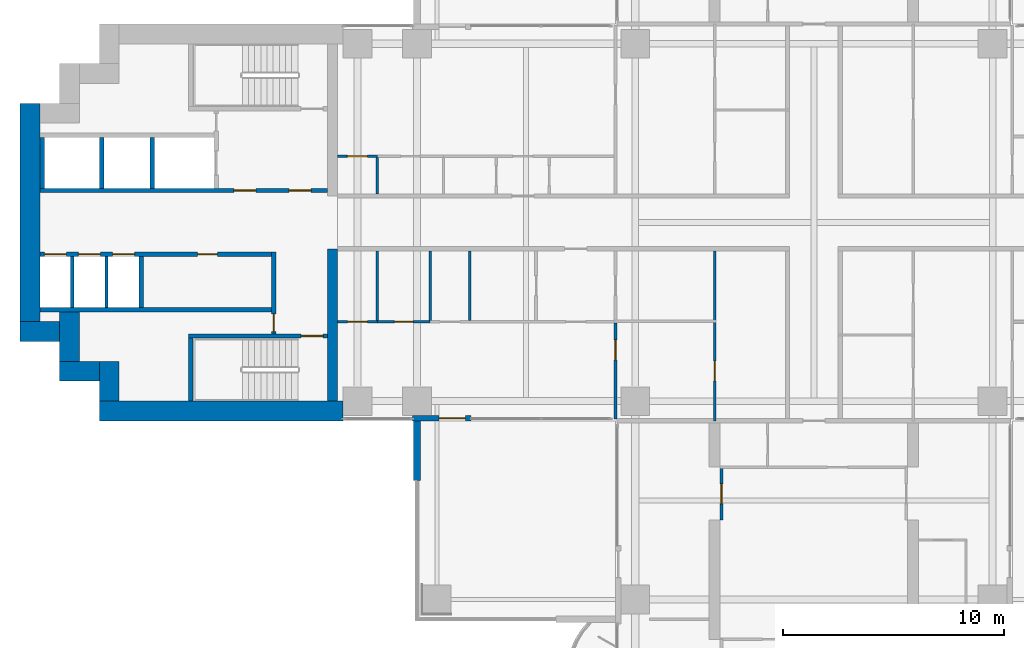
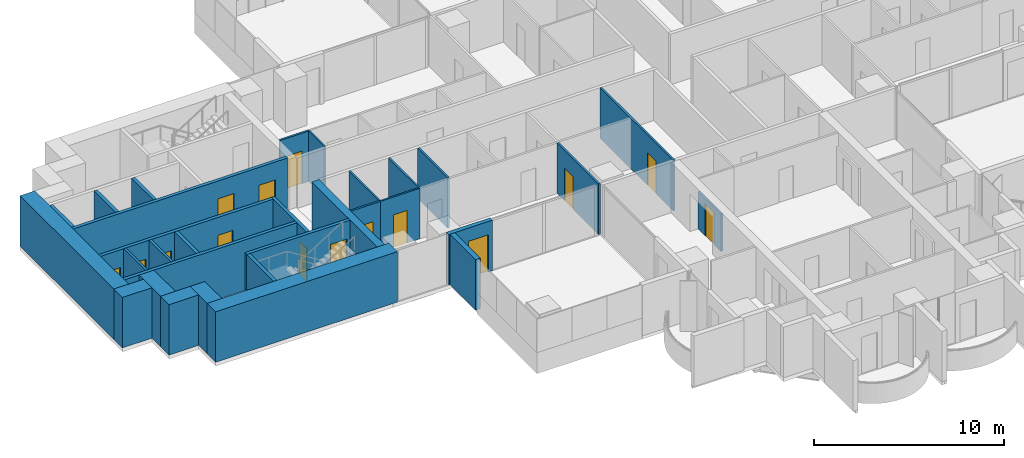
# One storey, part 10 of 21: 31 walls, 15 doors, 15 openings.
"""IFC4 building model written with IfcOpenShell, lengths in metres."""

from ifc_helpers import new_model, si_unit, direction, frame, frame_2d, origin, place, context, subcontext, project, spatial, rectangle, extrude, material, layer, layer_set, type_object, element, fill, save


model = new_model("IFC4")

# Units and contexts
model_context = context("Model", 3, precision=1e-05, world=origin(), true_north=direction((0.0, 1.0)))
body_context = subcontext(model_context, "Body", "Model", "MODEL_VIEW")
ifc_project = project(units=[si_unit("LENGTHUNIT", "METRE"), si_unit("AREAUNIT", "SQUARE_METRE"), si_unit("VOLUMEUNIT", "CUBIC_METRE"), si_unit("PLANEANGLEUNIT", "RADIAN"), si_unit("MASSUNIT", "GRAM", prefix="KILO")], contexts=[model_context])

# Site, building, storey
site_placement = place(None, origin())
site = spatial("IfcSite", under=ifc_project, at=site_placement, CompositionType="ELEMENT")
building_placement = place(site_placement, origin())
building = spatial("IfcBuilding", under=site, at=building_placement, Name="Perihelion Cross Residences", CompositionType="ELEMENT")
storey_placement = place(building_placement, frame((0.0, 0.0, 54.0)))
storey = spatial("IfcBuildingStorey", under=building, at=storey_placement, Name="L10", CompositionType="ELEMENT", Elevation=54.0)

# Wall, opening, door
ifc_material_1 = material(Name="Concrete C30/37, bronze-clad", Category="concrete")
ifc_layer_1 = layer(ifc_material_1, 0.25)
ifc_layer_set_1 = layer_set([ifc_layer_1], Name="Bronze-clad pier wall 250")
wall_type_1 = type_object("IfcWallType", Name="Bronze-clad pier wall 250", PredefinedType="SOLIDWALL", material=ifc_layer_set_1)
wall_1_placement = place(storey_placement, frame((-18.199951171875, -8.875, 0.0), z_axis=(0.0, 0.0, 1.0), x_axis=(1.0, 0.0, 0.0)))
wall_1 = element("IfcWall", 1, at=wall_1_placement, inside=storey, type_object=wall_type_1, Name="Wall FW1 L10 west side south bay 2 pier", PredefinedType="SOLIDWALL", context=body_context, shape_type="SweptSolid", body=[
    extrude(rectangle(XDim=2.64990234375, YDim=0.25, at=frame_2d((1.324951171875, 0.0))), origin(), (0.0, 0.0, 1.0), 3.25),
])
opening_1_placement = place(wall_1_placement, frame((1.199951171875, 0.0, 0.0)))
opening_1 = element("IfcOpeningElement", 2, at=opening_1_placement, cuts=wall_1, Name="Opening L10.E09", PredefinedType="OPENING", context=body_context, shape_type="SweptSolid", body=[
    extrude(rectangle(XDim=1.199951171875, YDim=2.39990234375, at=frame_2d((0.60009765625, 1.199951171875))), frame((0.0, 0.135009765625, 0.0), z_axis=(0.0, -1.0, 0.0), x_axis=(1.0, 0.0, 0.0)), (0.0, 0.0, 1.0), 0.27001953125),
])
ifc_material_2 = material(Name="Bronze anodised aluminium, glazed", Category="aluminium")
door_type_1 = type_object("IfcDoorType", Name="Balcony door 1200 x 2400", OperationType="NOTDEFINED", PredefinedType="DOOR", material=ifc_material_2)
door_1_placement = place(opening_1_placement, origin())
door_1 = element("IfcDoor", 3, at=door_1_placement, inside=storey, type_object=door_type_1, Name="Door L10.E09 west side south bay 2", OperationType="SINGLE_SWING_RIGHT", OverallHeight=2.39990234375, OverallWidth=1.199951171875, PredefinedType="DOOR", context=body_context, shape_type="SweptSolid", body=[
    extrude(rectangle(XDim=1.199951171875, YDim=2.39990234375, at=frame_2d((0.60009765625, 1.199951171875))), frame((0.0, 0.02490234375, 0.0), z_axis=(0.0, -1.0, 0.0), x_axis=(1.0, 0.0, 0.0)), (0.0, 0.0, 1.0), 0.050048828125),
])
fill(opening_1, door_1)

# Walls
ifc_material_3 = material(Name="Concrete C60/75", Category="concrete")
ifc_layer_2 = layer(ifc_material_3, 0.449951171875)
ifc_layer_set_2 = layer_set([ifc_layer_2], Name="Core wall, inner 450")
wall_type_2 = type_object("IfcWallType", Name="Core wall, inner 450", PredefinedType="SHEAR", material=ifc_layer_set_2)
wall_2_placement = place(storey_placement, frame((-21.824951171875, -8.10009765625, 0.0), z_axis=(0.0, 0.0, 1.0), x_axis=(0.0, 1.0, 0.0)))
element("IfcWall", 4, at=wall_2_placement, inside=storey, type_object=wall_type_2, Name="West core core wall, inner", PredefinedType="SHEAR", context=body_context, shape_type="SweptSolid", body=[
    extrude(rectangle(XDim=6.900146484375, YDim=0.449951171875, at=frame_2d((3.4501953125, 0.0))), origin(), (0.0, 0.0, 1.0), 3.25),
])
ifc_material_4 = material(Name="Concrete C60/75", Category="concrete")
ifc_layer_3 = layer(ifc_material_4, 0.89990234375)
ifc_layer_set_3 = layer_set([ifc_layer_3], Name="Core wall, outer 900")
wall_type_3 = type_object("IfcWallType", Name="Core wall, outer 900", PredefinedType="SHEAR", material=ifc_layer_set_3)
wall_3_placement = place(storey_placement, frame((-32.39990234375, -8.550048828125, 0.0), z_axis=(0.0, 0.0, 1.0), x_axis=(1.0, 0.0, 0.0)))
element("IfcWall", 5, at=wall_3_placement, inside=storey, type_object=wall_type_3, Name="West core core wall, outer", PredefinedType="SHEAR", context=body_context, shape_type="SweptSolid", body=[
    extrude(rectangle(XDim=11.0498046875, YDim=0.89990234375, at=frame_2d((5.52490234375, 0.0))), origin(), (0.0, 0.0, 1.0), 3.25),
])
for number, where, z_axis, x_axis, name in (
    (6, (-31.949951171875, -8.10009765625, 0.0), (0.0, 0.0, 1.0), (0.0, 1.0, 0.0), "West core core wall, outer"),
    (7, (-34.199951171875, -6.75, 0.0), (0.0, 0.0, 1.0), (1.0, 0.0, 0.0), "West core core wall, outer"),
):
    element("IfcWall", number, at=place(storey_placement, frame(where, z_axis=z_axis, x_axis=x_axis)), inside=storey, type_object=wall_type_3, Name=name, PredefinedType="SHEAR", context=body_context, shape_type="SweptSolid", body=[
        extrude(rectangle(XDim=1.800048828125, YDim=0.89990234375, at=frame_2d((0.89990234375, 0.0))), origin(), (0.0, 0.0, 1.0), 3.25),
    ])
wall_4_placement = place(storey_placement, frame((-33.75, -6.300048828125, 0.0), z_axis=(0.0, 0.0, 1.0), x_axis=(0.0, 1.0, 0.0)))
element("IfcWall", 8, at=wall_4_placement, inside=storey, type_object=wall_type_3, Name="West core core wall, outer", PredefinedType="SHEAR", context=body_context, shape_type="SweptSolid", body=[
    extrude(rectangle(XDim=2.25, YDim=0.89990234375, at=frame_2d((1.125, 0.0))), origin(), (0.0, 0.0, 1.0), 3.25),
])
wall_5_placement = place(storey_placement, frame((-36.0, -4.949951171875, 0.0), z_axis=(0.0, 0.0, 1.0), x_axis=(1.0, 0.0, 0.0)))
element("IfcWall", 9, at=wall_5_placement, inside=storey, type_object=wall_type_3, Name="West core core wall, outer", PredefinedType="SHEAR", context=body_context, shape_type="SweptSolid", body=[
    extrude(rectangle(XDim=1.800048828125, YDim=0.89990234375, at=frame_2d((0.89990234375, 0.0))), origin(), (0.0, 0.0, 1.0), 3.25),
])
wall_6_placement = place(storey_placement, frame((-35.550048828125, -4.5, 0.0), z_axis=(0.0, 0.0, 1.0), x_axis=(0.0, 1.0, 0.0)))
element("IfcWall", 10, at=wall_6_placement, inside=storey, type_object=wall_type_3, Name="West core core wall, outer", PredefinedType="SHEAR", context=body_context, shape_type="SweptSolid", body=[
    extrude(rectangle(XDim=9.89990234375, YDim=0.89990234375, at=frame_2d((4.949951171875, 0.0))), origin(), (0.0, 0.0, 1.0), 3.25),
])

# Wall, opening, door
ifc_material_5 = material(Name="Plasterboard partition")
ifc_layer_4 = layer(ifc_material_5, 0.1201171875)
ifc_layer_set_4 = layer_set([ifc_layer_4], Name="Infill panel 120")
wall_type_4 = type_object("IfcWallType", Name="Infill panel 120", PredefinedType="PARTITIONING", material=ifc_layer_set_4)
wall_7_placement = place(storey_placement, frame((-4.18994140625, -11.10009765625, 0.0), z_axis=(0.0, 0.0, 1.0), x_axis=(0.0, -1.0, 0.0)))
wall_7 = element("IfcWall", 11, at=wall_7_placement, inside=storey, type_object=wall_type_4, Name="Partition L10 WI07", PredefinedType="PARTITIONING", context=body_context, shape_type="SweptSolid", body=[
    extrude(rectangle(XDim=2.39990234375, YDim=0.1201171875, at=frame_2d((1.199951171875, 0.0))), origin(), (0.0, 0.0, 1.0), 2.39990234375),
])
opening_2_placement = place(wall_7_placement, frame((0.75, 0.0, 0.0)))
opening_2 = element("IfcOpeningElement", 12, at=opening_2_placement, cuts=wall_7, Name="Opening L10.A57", PredefinedType="OPENING", context=body_context, shape_type="SweptSolid", body=[
    extrude(rectangle(XDim=0.89990234375, YDim=2.10009765625, at=frame_2d((0.449951171875, 1.050048828125))), frame((0.0, 0.070068359375, 0.0), z_axis=(0.0, -1.0, 0.0), x_axis=(1.0, 0.0, 0.0)), (0.0, 0.0, 1.0), 0.14013671875),
])
ifc_material_6 = material(Name="Timber door leaf", Category="wood")
door_type_2 = type_object("IfcDoorType", Name="Interior room door 900 x 2100", OperationType="SINGLE_SWING_LEFT", PredefinedType="DOOR", material=ifc_material_6)
door_2_placement = place(opening_2_placement, origin())
door_2 = element("IfcDoor", 13, at=door_2_placement, inside=storey, type_object=door_type_2, Name="Door L10.A57", OperationType="SINGLE_SWING_LEFT", OverallHeight=2.10009765625, OverallWidth=0.89990234375, PredefinedType="DOOR", context=body_context, shape_type="SweptSolid", body=[
    extrude(rectangle(XDim=0.89990234375, YDim=2.10009765625, at=frame_2d((0.449951171875, 1.050048828125))), frame((0.0, 0.02490234375, 0.0), z_axis=(0.0, -1.0, 0.0), x_axis=(1.0, 0.0, 0.0)), (0.0, 0.0, 1.0), 0.050048828125),
])
fill(opening_2, door_2)

ifc_material_7 = material(Name="Concrete C50/60", Category="concrete")
ifc_layer_5 = layer(ifc_material_7, 0.199951171875)
ifc_layer_set_5 = layer_set([ifc_layer_5], Name="Lobby wall 200")
wall_type_5 = type_object("IfcWallType", Name="Lobby wall 200", PredefinedType="SOLIDWALL", material=ifc_layer_set_5)
wall_8_placement = place(storey_placement, frame((-24.5, -5.050048828125, 0.0), z_axis=(0.0, 0.0, 1.0), x_axis=(0.0, 1.0, 0.0)))
wall_8 = element("IfcWall", 14, at=wall_8_placement, inside=storey, type_object=wall_type_5, Name="West core lobby wall", PredefinedType="SOLIDWALL", context=body_context, shape_type="SweptSolid", body=[
    extrude(rectangle(XDim=3.699951171875, YDim=0.199951171875, at=frame_2d((1.85009765625, 0.0))), origin(), (0.0, 0.0, 1.0), 3.25),
])
opening_3_placement = place(wall_8_placement, frame((0.10009765625, 0.0, 0.0)))
opening_3 = element("IfcOpeningElement", 15, at=opening_3_placement, cuts=wall_8, Name="Opening L10.C19", PredefinedType="OPENING", context=body_context, shape_type="SweptSolid", body=[
    extrude(rectangle(XDim=0.800048828125, YDim=2.10009765625, at=frame_2d((0.39990234375, 1.050048828125))), frame((0.0, 0.10986328125, 0.0), z_axis=(0.0, -1.0, 0.0), x_axis=(1.0, 0.0, 0.0)), (0.0, 0.0, 1.0), 0.219970703125),
])
ifc_material_8 = material(Name="Steel, powder coated", Category="steel")
door_type_3 = type_object("IfcDoorType", Name="Riser door 800", OperationType="SINGLE_SWING_LEFT", PredefinedType="DOOR", material=ifc_material_8)
door_3_placement = place(opening_3_placement, origin())
door_3 = element("IfcDoor", 16, at=door_3_placement, inside=storey, type_object=door_type_3, Name="West core riser door", OperationType="SINGLE_SWING_LEFT", OverallHeight=2.10009765625, OverallWidth=0.800048828125, PredefinedType="DOOR", context=body_context, shape_type="SweptSolid", body=[
    extrude(rectangle(XDim=0.800048828125, YDim=2.10009765625, at=frame_2d((0.39990234375, 1.050048828125))), frame((0.0, 0.02490234375, 0.0), z_axis=(0.0, -1.0, 0.0), x_axis=(1.0, 0.0, 0.0)), (0.0, 0.0, 1.0), 0.050048828125),
])
fill(opening_3, door_3)

ifc_material_9 = material(Name="Plasterboard partition")
ifc_layer_6 = layer(ifc_material_9, 0.1201171875)
ifc_layer_set_6 = layer_set([ifc_layer_6], Name="Partition wall 120")
wall_type_6 = type_object("IfcWallType", Name="Partition wall 120", PredefinedType="PARTITIONING", material=ifc_layer_set_6)
wall_9_placement = place(storey_placement, frame((-21.60009765625, 3.0, 0.0), z_axis=(0.0, 0.0, 1.0), x_axis=(1.0, 0.0, 0.0)))
wall_9 = element("IfcWall", 17, at=wall_9_placement, inside=storey, type_object=wall_type_6, Name="Partition L10 W038", PredefinedType="PARTITIONING", context=body_context, shape_type="SweptSolid", body=[
    extrude(rectangle(XDim=1.800048828125, YDim=0.1201171875, at=frame_2d((0.89990234375, 0.0))), origin(), (0.0, 0.0, 1.0), 3.25),
])
opening_4_placement = place(wall_9_placement, frame((0.449951171875, 0.0, 0.0)))
opening_4 = element("IfcOpeningElement", 18, at=opening_4_placement, cuts=wall_9, Name="Opening L10.A19", PredefinedType="OPENING", context=body_context, shape_type="SweptSolid", body=[
    extrude(rectangle(XDim=0.89990234375, YDim=2.10009765625, at=frame_2d((0.449951171875, 1.050048828125))), frame((0.0, 0.070068359375, 0.0), z_axis=(0.0, -1.0, 0.0), x_axis=(1.0, 0.0, 0.0)), (0.0, 0.0, 1.0), 0.14013671875),
])
door_4_placement = place(opening_4_placement, origin())
door_4 = element("IfcDoor", 19, at=door_4_placement, inside=storey, type_object=door_type_2, Name="Door L10.A19", OperationType="SINGLE_SWING_RIGHT", OverallHeight=2.10009765625, OverallWidth=0.89990234375, PredefinedType="DOOR", context=body_context, shape_type="SweptSolid", body=[
    extrude(rectangle(XDim=0.89990234375, YDim=2.10009765625, at=frame_2d((0.449951171875, 1.050048828125))), frame((0.0, 0.02490234375, 0.0), z_axis=(0.0, -1.0, 0.0), x_axis=(1.0, 0.0, 0.0)), (0.0, 0.0, 1.0), 0.050048828125),
])
fill(opening_4, door_4)

# Wall
wall_10_placement = place(storey_placement, frame((-15.60009765625, -4.43994140625, 0.0), z_axis=(0.0, 0.0, 1.0), x_axis=(0.0, 1.0, 0.0)))
element("IfcWall", 20, at=wall_10_placement, inside=storey, type_object=wall_type_6, Name="Partition L10 W045", PredefinedType="PARTITIONING", context=body_context, shape_type="SweptSolid", body=[
    extrude(rectangle(XDim=3.139892578125, YDim=0.1201171875, at=frame_2d((1.56982421875, 0.0))), origin(), (0.0, 0.0, 1.0), 3.25),
])

# Wall, opening, door
wall_11_placement = place(storey_placement, frame((-19.800048828125, -4.5, 0.0), z_axis=(0.0, 0.0, 1.0), x_axis=(-1.0, 0.0, 0.0)))
wall_11 = element("IfcWall", 21, at=wall_11_placement, inside=storey, type_object=wall_type_6, Name="Partition L10 W049", PredefinedType="PARTITIONING", context=body_context, shape_type="SweptSolid", body=[
    extrude(rectangle(XDim=1.800048828125, YDim=0.1201171875, at=frame_2d((0.89990234375, 0.0))), origin(), (0.0, 0.0, 1.0), 3.25),
])
opening_5_placement = place(wall_11_placement, frame((0.449951171875, 0.0, 0.0)))
opening_5 = element("IfcOpeningElement", 22, at=opening_5_placement, cuts=wall_11, Name="Opening L10.A25", PredefinedType="OPENING", context=body_context, shape_type="SweptSolid", body=[
    extrude(rectangle(XDim=0.89990234375, YDim=2.10009765625, at=frame_2d((0.449951171875, 1.050048828125))), frame((0.0, 0.070068359375, 0.0), z_axis=(0.0, -1.0, 0.0), x_axis=(1.0, 0.0, 0.0)), (0.0, 0.0, 1.0), 0.14013671875),
])
door_5_placement = place(opening_5_placement, origin())
door_5 = element("IfcDoor", 23, at=door_5_placement, inside=storey, type_object=door_type_2, Name="Door L10.A25", OperationType="SINGLE_SWING_LEFT", OverallHeight=2.10009765625, OverallWidth=0.89990234375, PredefinedType="DOOR", context=body_context, shape_type="SweptSolid", body=[
    extrude(rectangle(XDim=0.89990234375, YDim=2.10009765625, at=frame_2d((0.449951171875, 1.050048828125))), frame((0.0, 0.02490234375, 0.0), z_axis=(0.0, -1.0, 0.0), x_axis=(1.0, 0.0, 0.0)), (0.0, 0.0, 1.0), 0.050048828125),
])
fill(opening_5, door_5)

wall_12_placement = place(storey_placement, frame((-9.0, -4.56005859375, 0.0), z_axis=(0.0, 0.0, 1.0), x_axis=(0.0, -1.0, 0.0)))
wall_12 = element("IfcWall", 24, at=wall_12_placement, inside=storey, type_object=wall_type_6, Name="Partition L10 W050", PredefinedType="PARTITIONING", context=body_context, shape_type="SweptSolid", body=[
    extrude(rectangle(XDim=4.35986328125, YDim=0.1201171875, at=frame_2d((2.179931640625, 0.0))), origin(), (0.0, 0.0, 1.0), 3.25),
])
opening_6_placement = place(wall_12_placement, frame((0.77001953125, 0.0, 0.0)))
opening_6 = element("IfcOpeningElement", 25, at=opening_6_placement, cuts=wall_12, Name="Opening L10.A30", PredefinedType="OPENING", context=body_context, shape_type="SweptSolid", body=[
    extrude(rectangle(XDim=0.89990234375, YDim=2.10009765625, at=frame_2d((0.449951171875, 1.050048828125))), frame((0.0, 0.070068359375, 0.0), z_axis=(0.0, -1.0, 0.0), x_axis=(1.0, 0.0, 0.0)), (0.0, 0.0, 1.0), 0.14013671875),
])
door_6_placement = place(opening_6_placement, origin())
door_6 = element("IfcDoor", 26, at=door_6_placement, inside=storey, type_object=door_type_2, Name="Door L10.A30", OperationType="SINGLE_SWING_LEFT", OverallHeight=2.10009765625, OverallWidth=0.89990234375, PredefinedType="DOOR", context=body_context, shape_type="SweptSolid", body=[
    extrude(rectangle(XDim=0.89990234375, YDim=2.10009765625, at=frame_2d((0.449951171875, 1.050048828125))), frame((0.0, 0.02490234375, 0.0), z_axis=(0.0, -1.0, 0.0), x_axis=(1.0, 0.0, 0.0)), (0.0, 0.0, 1.0), 0.050048828125),
])
fill(opening_6, door_6)

wall_13_placement = place(storey_placement, frame((-4.5, -1.300048828125, 0.0), z_axis=(0.0, 0.0, 1.0), x_axis=(0.0, -1.0, 0.0)))
wall_13 = element("IfcWall", 27, at=wall_13_placement, inside=storey, type_object=wall_type_6, Name="Partition L10 W052", PredefinedType="PARTITIONING", context=body_context, shape_type="SweptSolid", body=[
    extrude(rectangle(XDim=7.699951171875, YDim=0.1201171875, at=frame_2d((3.85009765625, 0.0))), origin(), (0.0, 0.0, 1.0), 3.25),
])
opening_7_placement = place(wall_13_placement, frame((4.988037109375, 0.0, 0.0)))
opening_7 = element("IfcOpeningElement", 28, at=opening_7_placement, cuts=wall_13, Name="Opening L10.A29", PredefinedType="OPENING", context=body_context, shape_type="SweptSolid", body=[
    extrude(rectangle(XDim=0.89990234375, YDim=2.10009765625, at=frame_2d((0.449951171875, 1.050048828125))), frame((0.0, 0.070068359375, 0.0), z_axis=(0.0, -1.0, 0.0), x_axis=(1.0, 0.0, 0.0)), (0.0, 0.0, 1.0), 0.14013671875),
])
door_7_placement = place(opening_7_placement, origin())
door_7 = element("IfcDoor", 29, at=door_7_placement, inside=storey, type_object=door_type_2, Name="Door L10.A29", OperationType="SINGLE_SWING_RIGHT", OverallHeight=2.10009765625, OverallWidth=0.89990234375, PredefinedType="DOOR", context=body_context, shape_type="SweptSolid", body=[
    extrude(rectangle(XDim=0.89990234375, YDim=2.10009765625, at=frame_2d((0.449951171875, 1.050048828125))), frame((0.0, 0.02490234375, 0.0), z_axis=(0.0, -1.0, 0.0), x_axis=(1.0, 0.0, 0.0)), (0.0, 0.0, 1.0), 0.050048828125),
])
fill(opening_7, door_7)

# Walls
ifc_material_10 = material(Name="Precast concrete C50/60", Category="concrete")
ifc_layer_7 = layer(ifc_material_10, 0.300048828125)
ifc_layer_set_7 = layer_set([ifc_layer_7], Name="Precast concrete C50/60 blade wall 300")
wall_type_7 = type_object("IfcWallType", Name="Precast concrete C50/60 blade wall 300", PredefinedType="SOLIDWALL", material=ifc_layer_set_7)
wall_14_placement = place(storey_placement, frame((-18.0, -8.75, 0.0), z_axis=(0.0, 0.0, 1.0), x_axis=(0.0, -1.0, 0.0)))
element("IfcWall", 30, at=wall_14_placement, inside=storey, type_object=wall_type_7, Name="Wall BL1 L10 no. 1", PredefinedType="SOLIDWALL", context=body_context, shape_type="SweptSolid", body=[
    extrude(rectangle(XDim=2.949951171875, YDim=0.300048828125, at=frame_2d((1.47509765625, 0.0))), origin(), (0.0, 0.0, 1.0), 3.25),
])
ifc_material_11 = material(Name="Concrete C50/60", Category="concrete")
ifc_layer_8 = layer(ifc_material_11, 0.14990234375)
ifc_layer_set_8 = layer_set([ifc_layer_8], Name="Shaft wall 150")
wall_type_8 = type_object("IfcWallType", Name="Shaft wall 150", PredefinedType="SOLIDWALL", material=ifc_layer_set_8)
for number, where, z_axis, x_axis, name in (
    (31, (-32.074951171875, -3.85009765625, 0.0), (0.0, 0.0, 1.0), (0.0, 1.0, 0.0), "West core shaft wall"),
    (32, (-33.625, -3.85009765625, 0.0), (0.0, 0.0, 1.0), (0.0, 1.0, 0.0), "West core shaft wall"),
):
    element("IfcWall", number, at=place(storey_placement, frame(where, z_axis=z_axis, x_axis=x_axis)), inside=storey, type_object=wall_type_8, Name=name, PredefinedType="SOLIDWALL", context=body_context, shape_type="SweptSolid", body=[
        extrude(rectangle(XDim=2.300048828125, YDim=0.14990234375, at=frame_2d((1.14990234375, 0.0))), origin(), (0.0, 0.0, 1.0), 3.25),
    ])

# Wall, openings, doors
ifc_material_12 = material(Name="Concrete C50/60", Category="concrete")
ifc_layer_9 = layer(ifc_material_12, 0.199951171875)
ifc_layer_set_9 = layer_set([ifc_layer_9], Name="Shaft wall 200")
wall_type_9 = type_object("IfcWallType", Name="Shaft wall 200", PredefinedType="SOLIDWALL", material=ifc_layer_set_9)
wall_15_placement = place(storey_placement, frame((-35.10009765625, 1.449951171875, 0.0), z_axis=(0.0, 0.0, 1.0), x_axis=(1.0, 0.0, 0.0)))
wall_15 = element("IfcWall", 33, at=wall_15_placement, inside=storey, type_object=wall_type_9, Name="West core shaft wall", PredefinedType="SOLIDWALL", context=body_context, shape_type="SweptSolid", body=[
    extrude(rectangle(XDim=13.050048828125, YDim=0.199951171875, at=frame_2d((6.52490234375, 0.0))), origin(), (0.0, 0.0, 1.0), 3.25),
])
opening_8_placement = place(wall_15_placement, frame((11.300048828125, 0.0, 0.0)))
opening_8 = element("IfcOpeningElement", 34, at=opening_8_placement, cuts=wall_15, Name="Opening L10.C18", PredefinedType="OPENING", context=body_context, shape_type="SweptSolid", body=[
    extrude(rectangle(XDim=1.0, YDim=2.10009765625, at=frame_2d((0.5, 1.050048828125))), frame((0.0, 0.10986328125, 0.0), z_axis=(0.0, -1.0, 0.0), x_axis=(1.0, 0.0, 0.0)), (0.0, 0.0, 1.0), 0.219970703125),
])
opening_9_placement = place(wall_15_placement, frame((8.800048828125, 0.0, 0.0)))
opening_9 = element("IfcOpeningElement", 35, at=opening_9_placement, cuts=wall_15, Name="Opening L10.C20", PredefinedType="OPENING", context=body_context, shape_type="SweptSolid", body=[
    extrude(rectangle(XDim=1.0, YDim=2.10009765625, at=frame_2d((0.5, 1.050048828125))), frame((0.0, 0.10986328125, 0.0), z_axis=(0.0, -1.0, 0.0), x_axis=(1.0, 0.0, 0.0)), (0.0, 0.0, 1.0), 0.219970703125),
])
ifc_material_13 = material(Name="Steel, powder coated", Category="steel")
door_type_4 = type_object("IfcDoorType", Name="Lobby door 1000", OperationType="SINGLE_SWING_LEFT", PredefinedType="DOOR", material=ifc_material_13)
door_8_placement = place(opening_8_placement, origin())
door_8 = element("IfcDoor", 36, at=door_8_placement, inside=storey, type_object=door_type_4, Name="West core firefighting lobby door", OperationType="SINGLE_SWING_LEFT", OverallHeight=2.10009765625, OverallWidth=1.0, PredefinedType="DOOR", context=body_context, shape_type="SweptSolid", body=[
    extrude(rectangle(XDim=1.0, YDim=2.10009765625, at=frame_2d((0.5, 1.050048828125))), frame((0.0, 0.02490234375, 0.0), z_axis=(0.0, -1.0, 0.0), x_axis=(1.0, 0.0, 0.0)), (0.0, 0.0, 1.0), 0.050048828125),
])
fill(opening_8, door_8)
door_9_placement = place(opening_9_placement, origin())
door_9 = element("IfcDoor", 37, at=door_9_placement, inside=storey, type_object=door_type_4, Name="West core firefighting lobby door", OperationType="SINGLE_SWING_LEFT", OverallHeight=2.10009765625, OverallWidth=1.0, PredefinedType="DOOR", context=body_context, shape_type="SweptSolid", body=[
    extrude(rectangle(XDim=1.0, YDim=2.10009765625, at=frame_2d((0.5, 1.050048828125))), frame((0.0, 0.02490234375, 0.0), z_axis=(0.0, -1.0, 0.0), x_axis=(1.0, 0.0, 0.0)), (0.0, 0.0, 1.0), 0.050048828125),
])
fill(opening_9, door_9)

wall_16_placement = place(storey_placement, frame((-35.10009765625, -1.449951171875, 0.0), z_axis=(0.0, 0.0, 1.0), x_axis=(1.0, 0.0, 0.0)))
wall_16 = element("IfcWall", 38, at=wall_16_placement, inside=storey, type_object=wall_type_9, Name="West core shaft wall", PredefinedType="SOLIDWALL", context=body_context, shape_type="SweptSolid", body=[
    extrude(rectangle(XDim=10.5, YDim=0.199951171875, at=frame_2d((5.25, 0.0))), origin(), (0.0, 0.0, 1.0), 3.25),
])
opening_10_placement = place(wall_16_placement, frame((3.300048828125, 0.0, 0.0)))
opening_10 = element("IfcOpeningElement", 39, at=opening_10_placement, cuts=wall_16, Name="Opening L10.C13", PredefinedType="OPENING", context=body_context, shape_type="SweptSolid", body=[
    extrude(rectangle(XDim=1.0, YDim=2.10009765625, at=frame_2d((0.5, 1.050048828125))), frame((0.0, 0.10986328125, 0.0), z_axis=(0.0, -1.0, 0.0), x_axis=(1.0, 0.0, 0.0)), (0.0, 0.0, 1.0), 0.219970703125),
])
opening_11_placement = place(wall_16_placement, frame((1.75, 0.0, 0.0)))
opening_11 = element("IfcOpeningElement", 40, at=opening_11_placement, cuts=wall_16, Name="Opening L10.C14", PredefinedType="OPENING", context=body_context, shape_type="SweptSolid", body=[
    extrude(rectangle(XDim=1.0, YDim=2.10009765625, at=frame_2d((0.5, 1.050048828125))), frame((0.0, 0.10986328125, 0.0), z_axis=(0.0, -1.0, 0.0), x_axis=(1.0, 0.0, 0.0)), (0.0, 0.0, 1.0), 0.219970703125),
])
opening_12_placement = place(wall_16_placement, frame((0.199951171875, 0.0, 0.0)))
opening_12 = element("IfcOpeningElement", 41, at=opening_12_placement, cuts=wall_16, Name="Opening L10.C15", PredefinedType="OPENING", context=body_context, shape_type="SweptSolid", body=[
    extrude(rectangle(XDim=1.0, YDim=2.10009765625, at=frame_2d((0.5, 1.050048828125))), frame((0.0, 0.10986328125, 0.0), z_axis=(0.0, -1.0, 0.0), x_axis=(1.0, 0.0, 0.0)), (0.0, 0.0, 1.0), 0.219970703125),
])
opening_13_placement = place(wall_16_placement, frame((7.14990234375, 0.0, 0.0)))
opening_13 = element("IfcOpeningElement", 42, at=opening_13_placement, cuts=wall_16, Name="Opening L10.C22", PredefinedType="OPENING", context=body_context, shape_type="SweptSolid", body=[
    extrude(rectangle(XDim=0.89990234375, YDim=2.10009765625, at=frame_2d((0.449951171875, 1.050048828125))), frame((0.0, 0.10986328125, 0.0), z_axis=(0.0, -1.0, 0.0), x_axis=(1.0, 0.0, 0.0)), (0.0, 0.0, 1.0), 0.219970703125),
])
ifc_material_14 = material(Name="Stainless steel", Category="steel")
door_type_5 = type_object("IfcDoorType", Name="Landing door 1000", OperationType="DOUBLE_DOOR_SLIDING", PredefinedType="DOOR", material=ifc_material_14)
door_10_placement = place(opening_10_placement, origin())
door_10 = element("IfcDoor", 43, at=door_10_placement, inside=storey, type_object=door_type_5, Name="Landing door, West core low-rise lift 1", OperationType="DOUBLE_DOOR_SLIDING", OverallHeight=2.10009765625, OverallWidth=1.0, PredefinedType="DOOR", context=body_context, shape_type="SweptSolid", body=[
    extrude(rectangle(XDim=1.0, YDim=2.10009765625, at=frame_2d((0.5, 1.050048828125))), frame((0.0, 0.02490234375, 0.0), z_axis=(0.0, -1.0, 0.0), x_axis=(1.0, 0.0, 0.0)), (0.0, 0.0, 1.0), 0.050048828125),
])
fill(opening_10, door_10)
door_11_placement = place(opening_11_placement, origin())
door_11 = element("IfcDoor", 44, at=door_11_placement, inside=storey, type_object=door_type_5, Name="Landing door, West core low-rise lift 2", OperationType="DOUBLE_DOOR_SLIDING", OverallHeight=2.10009765625, OverallWidth=1.0, PredefinedType="DOOR", context=body_context, shape_type="SweptSolid", body=[
    extrude(rectangle(XDim=1.0, YDim=2.10009765625, at=frame_2d((0.5, 1.050048828125))), frame((0.0, 0.02490234375, 0.0), z_axis=(0.0, -1.0, 0.0), x_axis=(1.0, 0.0, 0.0)), (0.0, 0.0, 1.0), 0.050048828125),
])
fill(opening_11, door_11)
door_12_placement = place(opening_12_placement, origin())
door_12 = element("IfcDoor", 45, at=door_12_placement, inside=storey, type_object=door_type_5, Name="Landing door, West core low-rise lift 3", OperationType="DOUBLE_DOOR_SLIDING", OverallHeight=2.10009765625, OverallWidth=1.0, PredefinedType="DOOR", context=body_context, shape_type="SweptSolid", body=[
    extrude(rectangle(XDim=1.0, YDim=2.10009765625, at=frame_2d((0.5, 1.050048828125))), frame((0.0, 0.02490234375, 0.0), z_axis=(0.0, -1.0, 0.0), x_axis=(1.0, 0.0, 0.0)), (0.0, 0.0, 1.0), 0.050048828125),
])
fill(opening_12, door_12)
ifc_material_15 = material(Name="Steel, powder coated", Category="steel")
door_type_6 = type_object("IfcDoorType", Name="Service room door 900", OperationType="SINGLE_SWING_LEFT", PredefinedType="DOOR", material=ifc_material_15)
door_13_placement = place(opening_13_placement, origin())
door_13 = element("IfcDoor", 46, at=door_13_placement, inside=storey, type_object=door_type_6, Name="West core service room door", OperationType="SINGLE_SWING_LEFT", OverallHeight=2.10009765625, OverallWidth=0.89990234375, PredefinedType="DOOR", context=body_context, shape_type="SweptSolid", body=[
    extrude(rectangle(XDim=0.89990234375, YDim=2.10009765625, at=frame_2d((0.449951171875, 1.050048828125))), frame((0.0, 0.02490234375, 0.0), z_axis=(0.0, -1.0, 0.0), x_axis=(1.0, 0.0, 0.0)), (0.0, 0.0, 1.0), 0.050048828125),
])
fill(opening_13, door_13)

# Walls
wall_17_placement = place(storey_placement, frame((-35.10009765625, -3.949951171875, 0.0), z_axis=(0.0, 0.0, 1.0), x_axis=(1.0, 0.0, 0.0)))
element("IfcWall", 47, at=wall_17_placement, inside=storey, type_object=wall_type_9, Name="West core shaft wall", PredefinedType="SOLIDWALL", context=body_context, shape_type="SweptSolid", body=[
    extrude(rectangle(XDim=10.5, YDim=0.199951171875, at=frame_2d((5.25, 0.0))), origin(), (0.0, 0.0, 1.0), 3.25),
])
for number, where, z_axis, x_axis, name in (
    (48, (-30.0, 1.550048828125, 0.0), (0.0, 0.0, 1.0), (0.0, 1.0, 0.0), "West core shaft wall"),
    (49, (-32.300048828125, 1.550048828125, 0.0), (0.0, 0.0, 1.0), (0.0, 1.0, 0.0), "West core shaft wall"),
    (50, (-35.0, 1.550048828125, 0.0), (0.0, 0.0, 1.0), (0.0, 1.0, 0.0), "West core shaft wall"),
    (51, (-30.5, -3.85009765625, 0.0), (0.0, 0.0, 1.0), (0.0, 1.0, 0.0), "West core shaft wall"),
):
    element("IfcWall", number, at=place(storey_placement, frame(where, z_axis=z_axis, x_axis=x_axis)), inside=storey, type_object=wall_type_9, Name=name, PredefinedType="SOLIDWALL", context=body_context, shape_type="SweptSolid", body=[
        extrude(rectangle(XDim=2.300048828125, YDim=0.199951171875, at=frame_2d((1.14990234375, 0.0))), origin(), (0.0, 0.0, 1.0), 3.25),
    ])

# Wall, opening, door
ifc_material_16 = material(Name="Concrete C50/60", Category="concrete")
ifc_layer_10 = layer(ifc_material_16, 0.199951171875)
ifc_layer_set_10 = layer_set([ifc_layer_10], Name="Stair wall 200")
wall_type_10 = type_object("IfcWallType", Name="Stair wall 200", PredefinedType="SOLIDWALL", material=ifc_layer_set_10)
wall_18_placement = place(storey_placement, frame((-28.35009765625, -5.14990234375, 0.0), z_axis=(0.0, 0.0, 1.0), x_axis=(1.0, 0.0, 0.0)))
wall_18 = element("IfcWall", 52, at=wall_18_placement, inside=storey, type_object=wall_type_10, Name="West core stair wall", PredefinedType="SOLIDWALL", context=body_context, shape_type="SweptSolid", body=[
    extrude(rectangle(XDim=6.300048828125, YDim=0.199951171875, at=frame_2d((3.14990234375, 0.0))), origin(), (0.0, 0.0, 1.0), 3.25),
])
opening_14_placement = place(wall_18_placement, frame((5.10009765625, 0.0, 0.0)))
opening_14 = element("IfcOpeningElement", 53, at=opening_14_placement, cuts=wall_18, Name="Opening L10.C16", PredefinedType="OPENING", context=body_context, shape_type="SweptSolid", body=[
    extrude(rectangle(XDim=1.0, YDim=2.10009765625, at=frame_2d((0.5, 1.050048828125))), frame((0.0, 0.10986328125, 0.0), z_axis=(0.0, -1.0, 0.0), x_axis=(1.0, 0.0, 0.0)), (0.0, 0.0, 1.0), 0.219970703125),
])
ifc_material_17 = material(Name="Steel, powder coated", Category="steel")
door_type_7 = type_object("IfcDoorType", Name="Stair door 1000", OperationType="SINGLE_SWING_LEFT", PredefinedType="DOOR", material=ifc_material_17)
door_14_placement = place(opening_14_placement, origin())
door_14 = element("IfcDoor", 54, at=door_14_placement, inside=storey, type_object=door_type_7, Name="West core stair door", OperationType="SINGLE_SWING_LEFT", OverallHeight=2.10009765625, OverallWidth=1.0, PredefinedType="DOOR", context=body_context, shape_type="SweptSolid", body=[
    extrude(rectangle(XDim=1.0, YDim=2.10009765625, at=frame_2d((0.5, 1.050048828125))), frame((0.0, 0.02490234375, 0.0), z_axis=(0.0, -1.0, 0.0), x_axis=(1.0, 0.0, 0.0)), (0.0, 0.0, 1.0), 0.050048828125),
])
fill(opening_14, door_14)

# Walls
wall_19_placement = place(storey_placement, frame((-28.25, -8.10009765625, 0.0), z_axis=(0.0, 0.0, 1.0), x_axis=(0.0, 1.0, 0.0)))
element("IfcWall", 55, at=wall_19_placement, inside=storey, type_object=wall_type_10, Name="West core stair wall", PredefinedType="SOLIDWALL", context=body_context, shape_type="SweptSolid", body=[
    extrude(rectangle(XDim=2.85009765625, YDim=0.199951171875, at=frame_2d((1.425048828125, 0.0))), origin(), (0.0, 0.0, 1.0), 3.25),
])
ifc_material_18 = material(Name="Plasterboard partition")
ifc_layer_11 = layer(ifc_material_18, 0.10009765625)
ifc_layer_set_11 = layer_set([ifc_layer_11], Name="Wet room wall 100")
wall_type_11 = type_object("IfcWallType", Name="Wet room wall 100", PredefinedType="PARTITIONING", material=ifc_layer_set_11)
wall_20_placement = place(storey_placement, frame((-19.800048828125, 1.300048828125, 0.0), z_axis=(0.0, 0.0, 1.0), x_axis=(0.0, 1.0, 0.0)))
element("IfcWall", 56, at=wall_20_placement, inside=storey, type_object=wall_type_11, Name="Partition L10 W036", PredefinedType="PARTITIONING", context=body_context, shape_type="SweptSolid", body=[
    extrude(rectangle(XDim=1.639892578125, YDim=0.10009765625, at=frame_2d((0.81982421875, 0.0))), origin(), (0.0, 0.0, 1.0), 3.25),
])
for number, where, z_axis, x_axis, name in (
    (57, (-17.39990234375, -4.43994140625, 0.0), (0.0, 0.0, 1.0), (0.0, 1.0, 0.0), "Partition L10 W046"),
    (58, (-19.800048828125, -4.43994140625, 0.0), (0.0, 0.0, 1.0), (0.0, 1.0, 0.0), "Partition L10 W047"),
):
    element("IfcWall", number, at=place(storey_placement, frame(where, z_axis=z_axis, x_axis=x_axis)), inside=storey, type_object=wall_type_11, Name=name, PredefinedType="PARTITIONING", context=body_context, shape_type="SweptSolid", body=[
        extrude(rectangle(XDim=3.139892578125, YDim=0.10009765625, at=frame_2d((1.56982421875, 0.0))), origin(), (0.0, 0.0, 1.0), 3.25),
    ])

# Wall, opening, door
wall_21_placement = place(storey_placement, frame((-17.39990234375, -4.5, 0.0), z_axis=(0.0, 0.0, 1.0), x_axis=(-1.0, 0.0, 0.0)))
wall_21 = element("IfcWall", 59, at=wall_21_placement, inside=storey, type_object=wall_type_11, Name="Partition L10 W048", PredefinedType="PARTITIONING", context=body_context, shape_type="SweptSolid", body=[
    extrude(rectangle(XDim=2.400146484375, YDim=0.10009765625, at=frame_2d((1.2001953125, 0.0))), origin(), (0.0, 0.0, 1.0), 3.25),
])
opening_15_placement = place(wall_21_placement, frame((0.77490234375, 0.0, 0.0)))
opening_15 = element("IfcOpeningElement", 60, at=opening_15_placement, cuts=wall_21, Name="Opening L10.A24", PredefinedType="OPENING", context=body_context, shape_type="SweptSolid", body=[
    extrude(rectangle(XDim=0.85009765625, YDim=2.10009765625, at=frame_2d((0.425048828125, 1.050048828125))), frame((0.0, 0.06005859375, 0.0), z_axis=(0.0, -1.0, 0.0), x_axis=(1.0, 0.0, 0.0)), (0.0, 0.0, 1.0), 0.1201171875),
])
ifc_material_19 = material(Name="Timber door leaf", Category="wood")
door_type_8 = type_object("IfcDoorType", Name="Interior bathroom door 850 x 2100", OperationType="SINGLE_SWING_LEFT", PredefinedType="DOOR", material=ifc_material_19)
door_15_placement = place(opening_15_placement, origin())
door_15 = element("IfcDoor", 61, at=door_15_placement, inside=storey, type_object=door_type_8, Name="Door L10.A24", OperationType="SINGLE_SWING_LEFT", OverallHeight=2.10009765625, OverallWidth=0.85009765625, PredefinedType="DOOR", context=body_context, shape_type="SweptSolid", body=[
    extrude(rectangle(XDim=0.85009765625, YDim=2.10009765625, at=frame_2d((0.425048828125, 1.050048828125))), frame((0.0, 0.02490234375, 0.0), z_axis=(0.0, -1.0, 0.0), x_axis=(1.0, 0.0, 0.0)), (0.0, 0.0, 1.0), 0.050048828125),
])
fill(opening_15, door_15)

save(model, "model.ifc")
